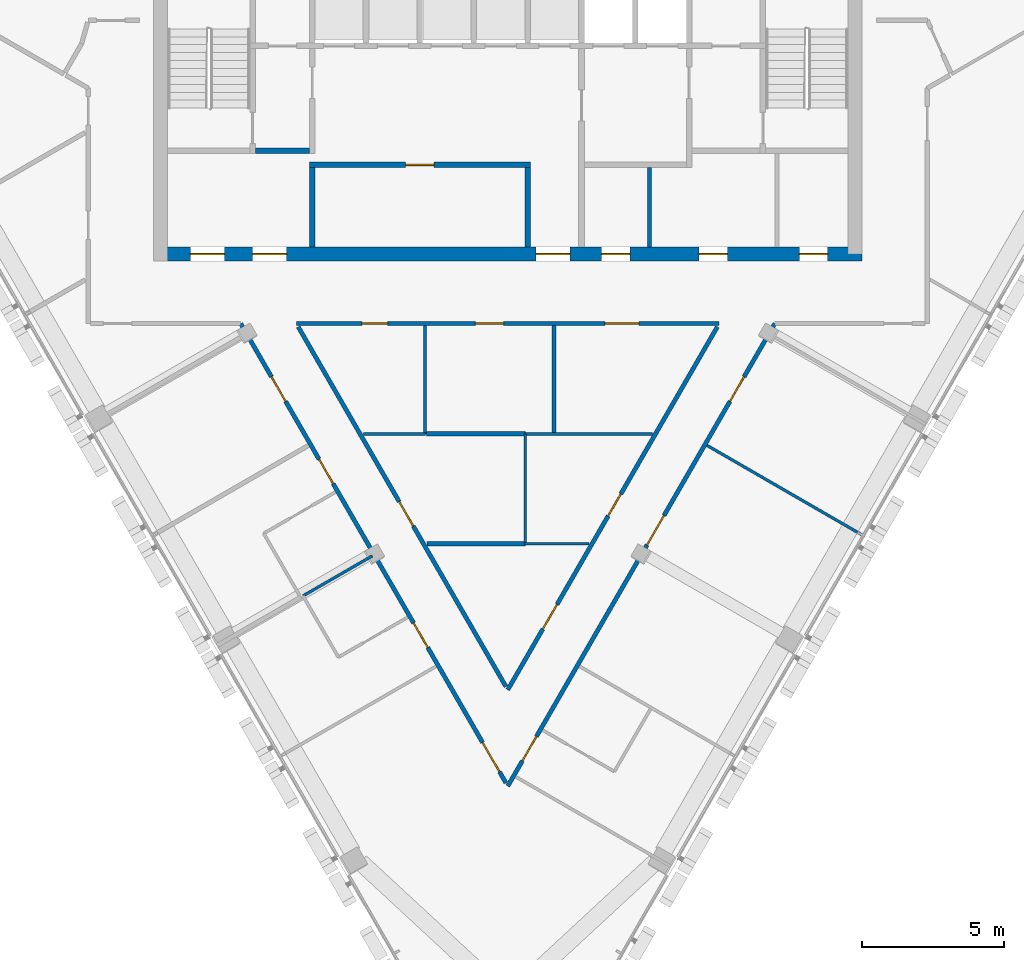
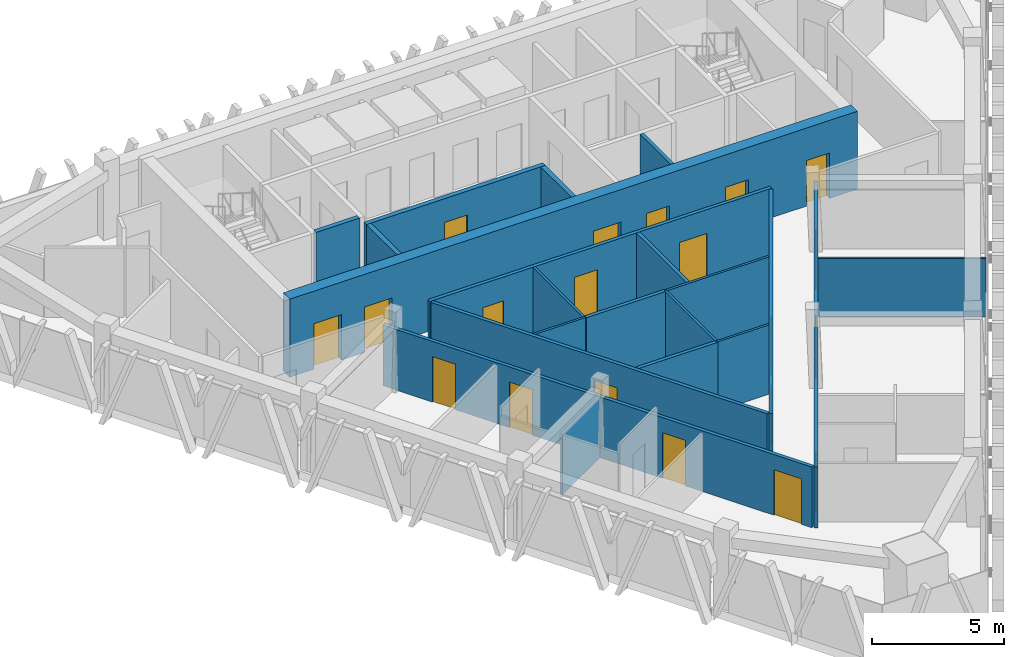
# One storey, part 8 of 12: 21 walls, 20 doors, 20 openings.
"""IFC4 building model written with IfcOpenShell, lengths in metres."""

import ifcopenshell
import ifcopenshell.guid

model = None  # the IFC model being written
_history = None  # IfcOwnerHistory: only IFC2X3 demands one
_inside = {}  # id of a spatial element -> (the spatial element, [elements in it])
_under = {}  # id of a project, library or spatial element -> (it, [spatial elements below it])
_declared = {}  # id of a project -> (the project, [libraries it declares])
_typed = {}  # id of a type object -> (the type object, [elements of that type])
_made_of = {}  # id of a material, layer set ... -> (it, [elements and type objects made of it])


def new_model(schema):
    """Start an empty IFC model of exactly this schema.

    Asked for "IFC4X3", IfcOpenShell would pick the latest addendum, in which some entities
    have other attributes; the version numbers below select the first issue.
    IFC2X3 requires an IfcOwnerHistory on every rooted entity: one is made here for all.
    """
    global model, _history
    if schema == "IFC4X3":
        model = ifcopenshell.file(schema_version=(4, 3, 0, 0))
    else:
        model = ifcopenshell.file(schema=schema)
    _inside.clear()
    _under.clear()
    _declared.clear()
    _typed.clear()
    _made_of.clear()
    _history = None
    if model.schema == "IFC2X3":
        org = make("IfcOrganization", Name="unknown")
        user = make(
            "IfcPersonAndOrganization",
            ThePerson=make("IfcPerson", FamilyName="unknown"),
            TheOrganization=org,
        )
        app = make(
            "IfcApplication",
            ApplicationDeveloper=org,
            Version="unknown",
            ApplicationFullName="unknown",
            ApplicationIdentifier="unknown",
        )
        _history = make(
            "IfcOwnerHistory",
            OwningUser=user,
            OwningApplication=app,
            ChangeAction="ADDED",
            CreationDate=0,
        )
    return model


def make(cls, **values):
    """One entity of the class cls with the attributes given. An attribute that is None is left unset."""
    return model.create_entity(
        cls, **{name: value for name, value in values.items() if value is not None}
    )


def rooted(cls, **values):
    """An entity with a GlobalId (a new one), such as an element, a storey or a relation."""
    return make(cls, GlobalId=ifcopenshell.guid.new(), OwnerHistory=_history, **values)


def si_unit(unit_type, name, prefix=None):
    """IfcSIUnit, for example si_unit("LENGTHUNIT", "METRE", prefix="MILLI")."""
    return make("IfcSIUnit", UnitType=unit_type, Prefix=prefix, Name=name)


def assignment(units):
    """IfcUnitAssignment: the units of a project."""
    return None if units is None else make("IfcUnitAssignment", Units=units)


def point(xyz):
    """IfcCartesianPoint."""
    return None if xyz is None else make("IfcCartesianPoint", Coordinates=xyz)


def direction(xyz):
    """IfcDirection."""
    return None if xyz is None else make("IfcDirection", DirectionRatios=xyz)


def frame(location, z_axis=None, x_axis=None):
    """IfcAxis2Placement3D, a coordinate frame: its origin and axes. An axis left out is left unset."""
    return make(
        "IfcAxis2Placement3D",
        Location=point(location),
        Axis=direction(z_axis),
        RefDirection=direction(x_axis),
    )


def frame_2d(location, x_axis=None):
    """IfcAxis2Placement2D, a coordinate frame in the plane: its origin and x axis."""
    return make(
        "IfcAxis2Placement2D", Location=point(location), RefDirection=direction(x_axis)
    )


def origin():
    """The frame at (0, 0, 0) with its axes left unset."""
    return frame((0.0, 0.0, 0.0))


def place(relative_to, where):
    """IfcLocalPlacement: puts the frame where relative to a parent placement (None: the world)."""
    return make(
        "IfcLocalPlacement", PlacementRelTo=relative_to, RelativePlacement=where
    )


def context(
    kind, dimensions, precision=None, world=None, true_north=None, identifier=None
):
    """IfcGeometricRepresentationContext, for example the 3D "Model" context."""
    return make(
        "IfcGeometricRepresentationContext",
        ContextIdentifier=identifier,
        ContextType=kind,
        CoordinateSpaceDimension=dimensions,
        Precision=precision,
        WorldCoordinateSystem=world,
        TrueNorth=true_north,
    )


def subcontext(parent, identifier, kind, view, scale=None):
    """IfcGeometricRepresentationSubContext, for example "Body" below "Model"."""
    return make(
        "IfcGeometricRepresentationSubContext",
        ContextIdentifier=identifier,
        ContextType=kind,
        ParentContext=parent,
        TargetScale=scale,
        TargetView=view,
    )


def project(units=None, contexts=None):
    """IfcProject with its units and contexts."""
    return rooted(
        "IfcProject",
        Name="project",
        RepresentationContexts=contexts,
        UnitsInContext=assignment(units),
    )


def spatial(cls, under=None, at=None, **own):
    """A site, building, storey or space (cls), placed at a placement, below another one or the project."""
    s = rooted(cls, ObjectPlacement=at, **own)
    if under is not None:
        _under.setdefault(under.id(), (under, []))[1].append(s)
    return s


def profile(cls, at=None, kind="AREA", **sizes):
    """A parametric profile (cls). Its sizes go by their IFC names, for example OverallWidth=200.0."""
    return make(cls, ProfileType=kind, Position=at, **sizes)


def rectangle(**sizes):
    """IfcRectangleProfileDef."""
    return profile("IfcRectangleProfileDef", **sizes)


def extrude(swept, where, along, depth):
    """IfcExtrudedAreaSolid: the profile swept, set in the frame where, extruded along a direction by depth."""
    return make(
        "IfcExtrudedAreaSolid",
        SweptArea=swept,
        Position=where,
        ExtrudedDirection=direction(along),
        Depth=depth,
    )


def shape(context_of_items, identifier, shape_type, items):
    """IfcShapeRepresentation: the items that make up one representation, for example the "Body"."""
    return make(
        "IfcShapeRepresentation",
        ContextOfItems=context_of_items,
        RepresentationIdentifier=identifier,
        RepresentationType=shape_type,
        Items=items,
    )


def material(Name=None, Category=None):
    """IfcMaterial."""
    return make("IfcMaterial", Name=Name, Category=Category)


def layer(
    of_material, thickness, ventilated=None, Name=None, Category=None, Priority=None
):
    """IfcMaterialLayer: one layer of a wall or slab, of a material (None: an air gap)."""
    return make(
        "IfcMaterialLayer",
        Material=of_material,
        LayerThickness=thickness,
        IsVentilated=ventilated,
        Name=Name,
        Category=Category,
        Priority=Priority,
    )


def layer_set(layers, Name=None):
    """IfcMaterialLayerSet."""
    return make("IfcMaterialLayerSet", MaterialLayers=layers, LayerSetName=Name)


def made_of(thing, what):
    """Note that an element or type object is made of a material, layer set ...; save() writes the relation."""
    if what is not None:
        _made_of.setdefault(what.id(), (what, []))[1].append(thing)
    return thing


def type_object(cls, material=None, **own):
    """A type object (cls), such as IfcWallType, which elements share."""
    return made_of(rooted(cls, **own), material)


def element(
    cls,
    number,
    at=None,
    inside=None,
    cuts=None,
    type_object=None,
    material=None,
    context=None,
    identifier="Body",
    shape_type=None,
    held_by="IfcProductDefinitionShape",
    body=None,
    shapes=None,
    **own,
):
    """One element of the class cls, such as IfcWall. Its Tag is "e" and its number.

    at: its placement. inside: the storey or other place that contains it. cuts: it is an
    opening in that element (IfcRelVoidsElement). A single representation is given by context,
    identifier, shape_type and body (its items); several are given by shapes. held_by: the class
    of the entity that holds the representations. save() writes the other relations.
    """
    e = rooted(cls, Tag="e%d" % number, ObjectPlacement=at, **own)
    if body is not None:
        shapes = [shape(context, identifier, shape_type, body)]
    if shapes is not None:
        e.Representation = make(held_by, Representations=shapes)
    if inside is not None:
        _inside.setdefault(inside.id(), (inside, []))[1].append(e)
    if cuts is not None:
        rooted(
            "IfcRelVoidsElement", RelatingBuildingElement=cuts, RelatedOpeningElement=e
        )
    if type_object is not None:
        _typed.setdefault(type_object.id(), (type_object, []))[1].append(e)
    return made_of(e, material)


def fill(opening, filler):
    """IfcRelFillsElement: the door or window that sits in an opening."""
    return rooted(
        "IfcRelFillsElement",
        RelatingOpeningElement=opening,
        RelatedBuildingElement=filler,
    )


def aggregate(whole, parts):
    """IfcRelAggregates: a whole, such as a stair, and the parts it consists of."""
    return rooted("IfcRelAggregates", RelatingObject=whole, RelatedObjects=parts)


def save(model, path):
    """Write the relations noted so far, then the file.

    IfcRelAggregates (storeys below a building ...), IfcRelContainedInSpatialStructure (elements
    in a storey), IfcRelDefinesByType, IfcRelAssociatesMaterial and IfcRelDeclares: one each for
    every whole, place, type object, material and project.
    """
    for whole, parts in _under.values():
        aggregate(whole, parts)
    for where, things in _inside.values():
        rooted(
            "IfcRelContainedInSpatialStructure",
            RelatedElements=things,
            RelatingStructure=where,
        )
    for kind, things in _typed.values():
        rooted("IfcRelDefinesByType", RelatedObjects=things, RelatingType=kind)
    for what, things in _made_of.values():
        rooted("IfcRelAssociatesMaterial", RelatedObjects=things, RelatingMaterial=what)
    for by, libraries in _declared.values():
        rooted("IfcRelDeclares", RelatingContext=by, RelatedDefinitions=libraries)
    model.write(path)


model = new_model("IFC4")

# Units and contexts
model_context = context("Model", 3, precision=1e-05, world=origin(), true_north=direction((0.0, 1.0)))
body_context = subcontext(model_context, "Body", "Model", "MODEL_VIEW")
ifc_project = project(units=[si_unit("LENGTHUNIT", "METRE"), si_unit("AREAUNIT", "SQUARE_METRE"), si_unit("VOLUMEUNIT", "CUBIC_METRE"), si_unit("PLANEANGLEUNIT", "RADIAN"), si_unit("MASSUNIT", "GRAM", prefix="KILO")], contexts=[model_context])

# Site, building, storey
site_placement = place(None, origin())
site = spatial("IfcSite", under=ifc_project, at=site_placement, CompositionType="ELEMENT")
building_placement = place(site_placement, origin())
building = spatial("IfcBuilding", under=site, at=building_placement, Name="Altiplano Prism Tower", CompositionType="ELEMENT")
storey_placement = place(building_placement, frame((0.0, 0.0, 278.800048828125)))
storey = spatial("IfcBuildingStorey", under=building, at=storey_placement, Name="L72", CompositionType="ELEMENT", Elevation=278.800048828125)

# Wall, openings, doors
ifc_material_1 = material(Name="Concrete C60/75", Category="concrete")
ifc_layer_1 = layer(ifc_material_1, 0.5)
ifc_layer_set_1 = layer_set([ifc_layer_1], Name="Concrete C60/75")
wall_type_1 = type_object("IfcWallType", Name="Core wall 500", PredefinedType="SHEAR", material=ifc_layer_set_1)
wall_1_placement = place(storey_placement, frame((72.75, 93.14990234375, 0.0), z_axis=(0.0, 0.0, 1.0), x_axis=(1.0, 0.0, 0.0)))
wall_1 = element("IfcWall", 1, at=wall_1_placement, inside=storey, type_object=wall_type_1, Name="Core wall S L72", PredefinedType="SHEAR", context=body_context, shape_type="SweptSolid", body=[
    extrude(rectangle(XDim=24.75, YDim=0.5, at=frame_2d((12.375, 0.0))), origin(), (0.0, 0.0, 1.0), 3.599853515625),
])
opening_1_placement = place(wall_1_placement, frame((1.050048828125, 0.0, 0.0)))
opening_1 = element("IfcOpeningElement", 2, at=opening_1_placement, cuts=wall_1, Name="Opening D3597", PredefinedType="OPENING", context=body_context, shape_type="SweptSolid", body=[
    extrude(rectangle(XDim=1.199951171875, YDim=2.10009765625, at=frame_2d((0.60009765625, 1.050048828125))), frame((0.0, 0.260498046875, 0.0), z_axis=(0.0, -1.0, 0.0), x_axis=(1.0, 0.0, 0.0)), (0.0, 0.0, 1.0), 0.52099609375),
])
opening_2_placement = place(wall_1_placement, frame((3.25, 0.0, 0.0)))
opening_2 = element("IfcOpeningElement", 3, at=opening_2_placement, cuts=wall_1, Name="Opening D3598", PredefinedType="OPENING", context=body_context, shape_type="SweptSolid", body=[
    extrude(rectangle(XDim=1.199951171875, YDim=2.10009765625, at=frame_2d((0.60009765625, 1.050048828125))), frame((0.0, 0.260498046875, 0.0), z_axis=(0.0, -1.0, 0.0), x_axis=(1.0, 0.0, 0.0)), (0.0, 0.0, 1.0), 0.52099609375),
])
opening_3_placement = place(wall_1_placement, frame((13.25, 0.0, 0.0)))
opening_3 = element("IfcOpeningElement", 4, at=opening_3_placement, cuts=wall_1, Name="Opening D3599", PredefinedType="OPENING", context=body_context, shape_type="SweptSolid", body=[
    extrude(rectangle(XDim=1.199951171875, YDim=2.10009765625, at=frame_2d((0.60009765625, 1.050048828125))), frame((0.0, 0.260498046875, 0.0), z_axis=(0.0, -1.0, 0.0), x_axis=(1.0, 0.0, 0.0)), (0.0, 0.0, 1.0), 0.52099609375),
])
opening_4_placement = place(wall_1_placement, frame((15.5625, 0.0, 0.0)))
opening_4 = element("IfcOpeningElement", 5, at=opening_4_placement, cuts=wall_1, Name="Opening D3602", PredefinedType="OPENING", context=body_context, shape_type="SweptSolid", body=[
    extrude(rectangle(XDim=1.0, YDim=2.10009765625, at=frame_2d((0.5, 1.050048828125))), frame((0.0, 0.260498046875, 0.0), z_axis=(0.0, -1.0, 0.0), x_axis=(1.0, 0.0, 0.0)), (0.0, 0.0, 1.0), 0.52099609375),
])
opening_5_placement = place(wall_1_placement, frame((19.0, 0.0, 0.0)))
opening_5 = element("IfcOpeningElement", 6, at=opening_5_placement, cuts=wall_1, Name="Opening D3603", PredefinedType="OPENING", context=body_context, shape_type="SweptSolid", body=[
    extrude(rectangle(XDim=1.0, YDim=2.10009765625, at=frame_2d((0.5, 1.050048828125))), frame((0.0, 0.260498046875, 0.0), z_axis=(0.0, -1.0, 0.0), x_axis=(1.0, 0.0, 0.0)), (0.0, 0.0, 1.0), 0.52099609375),
])
opening_6_placement = place(wall_1_placement, frame((22.53759765625, 0.0, 0.0)))
opening_6 = element("IfcOpeningElement", 7, at=opening_6_placement, cuts=wall_1, Name="Opening D3604", PredefinedType="OPENING", context=body_context, shape_type="SweptSolid", body=[
    extrude(rectangle(XDim=1.0, YDim=2.10009765625, at=frame_2d((0.5, 1.050048828125))), frame((0.0, 0.260498046875, 0.0), z_axis=(0.0, -1.0, 0.0), x_axis=(1.0, 0.0, 0.0)), (0.0, 0.0, 1.0), 0.52099609375),
])
ifc_material_2 = material(Name="Fire-rated steel door", Category="steel")
door_type_1 = type_object("IfcDoorType", Name="Core room door 1000 x 2100", OperationType="NOTDEFINED", PredefinedType="NOTDEFINED", material=ifc_material_2)
door_1_placement = place(opening_4_placement, origin())
door_1 = element("IfcDoor", 8, at=door_1_placement, inside=storey, type_object=door_type_1, Name="Core room door D3602", OperationType="SINGLE_SWING_RIGHT", OverallHeight=2.10009765625, OverallWidth=1.0, PredefinedType="NOTDEFINED", context=body_context, shape_type="SweptSolid", body=[
    extrude(rectangle(XDim=1.0, YDim=2.10009765625, at=frame_2d((0.5, 1.050048828125))), frame((0.0, 0.02490234375, 0.0), z_axis=(0.0, -1.0, 0.0), x_axis=(1.0, 0.0, 0.0)), (0.0, 0.0, 1.0), 0.050048828125),
])
fill(opening_4, door_1)
door_2_placement = place(opening_5_placement, origin())
door_2 = element("IfcDoor", 9, at=door_2_placement, inside=storey, type_object=door_type_1, Name="Core room door D3603", OperationType="SINGLE_SWING_LEFT", OverallHeight=2.10009765625, OverallWidth=1.0, PredefinedType="NOTDEFINED", context=body_context, shape_type="SweptSolid", body=[
    extrude(rectangle(XDim=1.0, YDim=2.10009765625, at=frame_2d((0.5, 1.050048828125))), frame((0.0, 0.02490234375, 0.0), z_axis=(0.0, -1.0, 0.0), x_axis=(1.0, 0.0, 0.0)), (0.0, 0.0, 1.0), 0.050048828125),
])
fill(opening_5, door_2)
door_3_placement = place(opening_6_placement, origin())
door_3 = element("IfcDoor", 10, at=door_3_placement, inside=storey, type_object=door_type_1, Name="Core room door D3604", OperationType="SINGLE_SWING_RIGHT", OverallHeight=2.10009765625, OverallWidth=1.0, PredefinedType="NOTDEFINED", context=body_context, shape_type="SweptSolid", body=[
    extrude(rectangle(XDim=1.0, YDim=2.10009765625, at=frame_2d((0.5, 1.050048828125))), frame((0.0, 0.02490234375, 0.0), z_axis=(0.0, -1.0, 0.0), x_axis=(1.0, 0.0, 0.0)), (0.0, 0.0, 1.0), 0.050048828125),
])
fill(opening_6, door_3)
door_type_2 = type_object("IfcDoorType", Name="Lobby fire door 1200 x 2100", OperationType="NOTDEFINED", PredefinedType="NOTDEFINED", material=ifc_material_2)
door_4_placement = place(opening_1_placement, origin())
door_4 = element("IfcDoor", 11, at=door_4_placement, inside=storey, type_object=door_type_2, Name="Lobby fire door D3597", OperationType="SINGLE_SWING_RIGHT", OverallHeight=2.10009765625, OverallWidth=1.199951171875, PredefinedType="NOTDEFINED", context=body_context, shape_type="SweptSolid", body=[
    extrude(rectangle(XDim=1.199951171875, YDim=2.10009765625, at=frame_2d((0.60009765625, 1.050048828125))), frame((0.0, 0.02490234375, 0.0), z_axis=(0.0, -1.0, 0.0), x_axis=(1.0, 0.0, 0.0)), (0.0, 0.0, 1.0), 0.050048828125),
])
fill(opening_1, door_4)
door_5_placement = place(opening_2_placement, origin())
door_5 = element("IfcDoor", 12, at=door_5_placement, inside=storey, type_object=door_type_2, Name="Lobby fire door D3598", OperationType="SINGLE_SWING_LEFT", OverallHeight=2.10009765625, OverallWidth=1.199951171875, PredefinedType="NOTDEFINED", context=body_context, shape_type="SweptSolid", body=[
    extrude(rectangle(XDim=1.199951171875, YDim=2.10009765625, at=frame_2d((0.60009765625, 1.050048828125))), frame((0.0, 0.02490234375, 0.0), z_axis=(0.0, -1.0, 0.0), x_axis=(1.0, 0.0, 0.0)), (0.0, 0.0, 1.0), 0.050048828125),
])
fill(opening_2, door_5)
door_6_placement = place(opening_3_placement, origin())
door_6 = element("IfcDoor", 13, at=door_6_placement, inside=storey, type_object=door_type_2, Name="Lobby fire door D3599", OperationType="SINGLE_SWING_RIGHT", OverallHeight=2.10009765625, OverallWidth=1.199951171875, PredefinedType="NOTDEFINED", context=body_context, shape_type="SweptSolid", body=[
    extrude(rectangle(XDim=1.199951171875, YDim=2.10009765625, at=frame_2d((0.60009765625, 1.050048828125))), frame((0.0, 0.02490234375, 0.0), z_axis=(0.0, -1.0, 0.0), x_axis=(1.0, 0.0, 0.0)), (0.0, 0.0, 1.0), 0.050048828125),
])
fill(opening_3, door_6)

# Walls
ifc_material_3 = material(Name="Plasterboard on steel stud", Category="steel")
ifc_layer_2 = layer(ifc_material_3, 0.10009765625)
ifc_layer_set_2 = layer_set([ifc_layer_2], Name="Plasterboard on steel stud")
wall_type_2 = type_object("IfcWallType", Name="Partition 100 wet", PredefinedType="PARTITIONING", material=ifc_layer_set_2)
wall_2_placement = place(storey_placement, frame((82.085205078125, 86.809814453125, 0.0), z_axis=(0.0, 0.0, 1.0), x_axis=(0.0, 1.0, 0.0)))
element("IfcWall", 14, at=wall_2_placement, inside=storey, type_object=wall_type_2, Name="Partition P03 L72 017", PredefinedType="PARTITIONING", context=body_context, shape_type="SweptSolid", body=[
    extrude(rectangle(XDim=3.815185546875, YDim=0.10009765625, at=frame_2d((1.90771484375, 0.0))), origin(), (0.0, 0.0, 1.0), 3.199951171875),
])
wall_3_placement = place(storey_placement, frame((79.90283203125, 86.809814453125, 0.0), z_axis=(0.0, 0.0, 1.0), x_axis=(1.0, 0.0, 0.0)))
element("IfcWall", 15, at=wall_3_placement, inside=storey, type_object=wall_type_2, Name="Partition P03 L72 018", PredefinedType="PARTITIONING", context=body_context, shape_type="SweptSolid", body=[
    extrude(rectangle(XDim=2.202392578125, YDim=0.10009765625, at=frame_2d((1.10107421875, 0.0))), origin(), (0.0, 0.0, 1.0), 3.199951171875),
])
wall_4_placement = place(storey_placement, frame((85.5986328125, 82.932861328125, 0.0), z_axis=(0.0, 0.0, 1.0), x_axis=(1.0, 0.0, 0.0)))
element("IfcWall", 16, at=wall_4_placement, inside=storey, type_object=wall_type_2, Name="Partition P03 L72 019", PredefinedType="PARTITIONING", context=body_context, shape_type="SweptSolid", body=[
    extrude(rectangle(XDim=2.26025390625, YDim=0.10009765625, at=frame_2d((1.130126953125, 0.0))), origin(), (0.0, 0.0, 1.0), 3.199951171875),
])
wall_5_placement = place(storey_placement, frame((90.097412109375, 86.809814453125, 0.0), z_axis=(0.0, 0.0, 1.0), x_axis=(-1.0, 0.0, 0.0)))
element("IfcWall", 17, at=wall_5_placement, inside=storey, type_object=wall_type_2, Name="Partition P03 L72 020", PredefinedType="PARTITIONING", context=body_context, shape_type="SweptSolid", body=[
    extrude(rectangle(XDim=4.498779296875, YDim=0.10009765625, at=frame_2d((2.24951171875, 0.0))), origin(), (0.0, 0.0, 1.0), 3.199951171875),
])
wall_6_placement = place(storey_placement, frame((85.618408203125, 86.809814453125, 0.0), z_axis=(0.0, 0.0, 1.0), x_axis=(0.0, -1.0, 0.0)))
element("IfcWall", 18, at=wall_6_placement, inside=storey, type_object=wall_type_2, Name="Partition P03 L72 021", PredefinedType="PARTITIONING", context=body_context, shape_type="SweptSolid", body=[
    extrude(rectangle(XDim=3.876953125, YDim=0.10009765625, at=frame_2d((1.9384765625, 0.0))), origin(), (0.0, 0.0, 1.0), 3.199951171875),
])
wall_7_placement = place(storey_placement, frame((77.77587890625, 81.093505859375, 0.0), z_axis=(0.0, 0.0, 1.0), x_axis=(0.866048868473, 0.499959355765, 0.0)))
element("IfcWall", 19, at=wall_7_placement, inside=storey, type_object=wall_type_2, Name="Partition P03 L72 034", PredefinedType="PARTITIONING", context=body_context, shape_type="SweptSolid", body=[
    extrude(rectangle(XDim=2.824951171875, YDim=0.10009765625, at=frame_2d((1.41259765625, 0.0))), origin(), (0.0, 0.0, 1.0), 2.800048828125),
])
wall_8_placement = place(storey_placement, frame((97.522705078125, 83.23046875, 0.0), z_axis=(0.0, 0.0, 1.0), x_axis=(-0.866025401434, 0.500000004071, 0.0)))
element("IfcWall", 20, at=wall_8_placement, inside=storey, type_object=wall_type_2, Name="Partition P03 L72 042", PredefinedType="PARTITIONING", context=body_context, shape_type="SweptSolid", body=[
    extrude(rectangle(XDim=6.34521484375, YDim=0.10009765625, at=frame_2d((3.172607421875, 0.0))), origin(), (0.0, 0.0, 1.0), 2.699951171875),
])

# Wall, openings, doors
ifc_layer_3 = layer(ifc_material_3, 0.14990234375)
ifc_layer_set_3 = layer_set([ifc_layer_3], Name="Plasterboard on steel stud")
wall_type_3 = type_object("IfcWallType", Name="Partition 150 corridor", PredefinedType="PARTITIONING", material=ifc_layer_set_3)
wall_9_placement = place(storey_placement, frame((77.541259765625, 90.699951171875, 0.0), z_axis=(0.0, 0.0, 1.0), x_axis=(1.0, 0.0, 0.0)))
wall_9 = element("IfcWall", 21, at=wall_9_placement, inside=storey, type_object=wall_type_3, Name="Partition P06 L72 001", PredefinedType="PARTITIONING", context=body_context, shape_type="SweptSolid", body=[
    extrude(rectangle(XDim=14.91748046875, YDim=0.14990234375, at=frame_2d((7.458740234375, 0.0))), origin(), (0.0, 0.0, 1.0), 3.199951171875),
])
opening_7_placement = place(wall_9_placement, frame((2.322021484375, 0.0, 0.0)))
opening_7 = element("IfcOpeningElement", 22, at=opening_7_placement, cuts=wall_9, Name="Opening D2247", PredefinedType="OPENING", context=body_context, shape_type="SweptSolid", body=[
    extrude(rectangle(XDim=0.89990234375, YDim=2.10009765625, at=frame_2d((0.449951171875, 1.050048828125))), frame((0.0, 0.08544921875, 0.0), z_axis=(0.0, -1.0, 0.0), x_axis=(1.0, 0.0, 0.0)), (0.0, 0.0, 1.0), 0.1708984375),
])
opening_8_placement = place(wall_9_placement, frame((6.31494140625, 0.0, 0.0)))
opening_8 = element("IfcOpeningElement", 23, at=opening_8_placement, cuts=wall_9, Name="Opening D2250", PredefinedType="OPENING", context=body_context, shape_type="SweptSolid", body=[
    extrude(rectangle(XDim=1.0, YDim=2.10009765625, at=frame_2d((0.5, 1.050048828125))), frame((0.0, 0.08544921875, 0.0), z_axis=(0.0, -1.0, 0.0), x_axis=(1.0, 0.0, 0.0)), (0.0, 0.0, 1.0), 0.1708984375),
])
opening_9_placement = place(wall_9_placement, frame((10.885009765625, 0.0, 0.0)))
opening_9 = element("IfcOpeningElement", 24, at=opening_9_placement, cuts=wall_9, Name="Opening D2268", PredefinedType="OPENING", context=body_context, shape_type="SweptSolid", body=[
    extrude(rectangle(XDim=1.199951171875, YDim=2.10009765625, at=frame_2d((0.60009765625, 1.050048828125))), frame((0.0, 0.08544921875, 0.0), z_axis=(0.0, -1.0, 0.0), x_axis=(1.0, 0.0, 0.0)), (0.0, 0.0, 1.0), 0.1708984375),
])
ifc_material_4 = material(Name="Timber", Category="wood")
door_type_3 = type_object("IfcDoorType", Name="Room door 1000 x 2100", OperationType="NOTDEFINED", PredefinedType="NOTDEFINED", material=ifc_material_4)
door_7_placement = place(opening_8_placement, origin())
door_7 = element("IfcDoor", 25, at=door_7_placement, inside=storey, type_object=door_type_3, Name="Door D2250", OperationType="SINGLE_SWING_RIGHT", OverallHeight=2.10009765625, OverallWidth=1.0, PredefinedType="NOTDEFINED", context=body_context, shape_type="SweptSolid", body=[
    extrude(rectangle(XDim=1.0, YDim=2.10009765625, at=frame_2d((0.5, 1.050048828125))), frame((0.0, 0.02490234375, 0.0), z_axis=(0.0, -1.0, 0.0), x_axis=(1.0, 0.0, 0.0)), (0.0, 0.0, 1.0), 0.050048828125),
])
fill(opening_8, door_7)
door_type_4 = type_object("IfcDoorType", Name="Shared room door 1200 x 2100", OperationType="NOTDEFINED", PredefinedType="NOTDEFINED", material=ifc_material_4)
door_8_placement = place(opening_9_placement, origin())
door_8 = element("IfcDoor", 26, at=door_8_placement, inside=storey, type_object=door_type_4, Name="Door D2268", OperationType="SINGLE_SWING_LEFT", OverallHeight=2.10009765625, OverallWidth=1.199951171875, PredefinedType="NOTDEFINED", context=body_context, shape_type="SweptSolid", body=[
    extrude(rectangle(XDim=1.199951171875, YDim=2.10009765625, at=frame_2d((0.60009765625, 1.050048828125))), frame((0.0, 0.02490234375, 0.0), z_axis=(0.0, -1.0, 0.0), x_axis=(1.0, 0.0, 0.0)), (0.0, 0.0, 1.0), 0.050048828125),
])
fill(opening_9, door_8)
door_type_5 = type_object("IfcDoorType", Name="Toilet door 900 x 2100", OperationType="NOTDEFINED", PredefinedType="NOTDEFINED", material=ifc_material_4)
door_9_placement = place(opening_7_placement, origin())
door_9 = element("IfcDoor", 27, at=door_9_placement, inside=storey, type_object=door_type_5, Name="Door D2247", OperationType="SINGLE_SWING_LEFT", OverallHeight=2.10009765625, OverallWidth=0.89990234375, PredefinedType="NOTDEFINED", context=body_context, shape_type="SweptSolid", body=[
    extrude(rectangle(XDim=0.89990234375, YDim=2.10009765625, at=frame_2d((0.449951171875, 1.050048828125))), frame((0.0, 0.02490234375, 0.0), z_axis=(0.0, -1.0, 0.0), x_axis=(1.0, 0.0, 0.0)), (0.0, 0.0, 1.0), 0.050048828125),
])
fill(opening_7, door_9)

wall_10_placement = place(storey_placement, frame((92.393798828125, 90.58740234375, 0.0), z_axis=(0.0, 0.0, 1.0), x_axis=(-0.500001134594, -0.866024748725, 0.0)))
wall_10 = element("IfcWall", 28, at=wall_10_placement, inside=storey, type_object=wall_type_3, Name="Partition P06 L72 002", PredefinedType="PARTITIONING", context=body_context, shape_type="SweptSolid", body=[
    extrude(rectangle(XDim=14.78759765625, YDim=0.14990234375, at=frame_2d((7.393798828125, 0.0))), origin(), (0.0, 0.0, 1.0), 3.199951171875),
])
opening_10_placement = place(wall_10_placement, frame((6.80908203125, 0.0, 0.0)))
opening_10 = element("IfcOpeningElement", 29, at=opening_10_placement, cuts=wall_10, Name="Opening D2248", PredefinedType="OPENING", context=body_context, shape_type="SweptSolid", body=[
    extrude(rectangle(XDim=0.89990234375, YDim=2.10009765625, at=frame_2d((0.449951171875, 1.050048828125))), frame((0.0, 0.08544921875, 0.0), z_axis=(0.0, -1.0, 0.0), x_axis=(1.0, 0.0, 0.0)), (0.0, 0.0, 1.0), 0.1708984375),
])
opening_11_placement = place(wall_10_placement, frame((11.31298828125, 0.0, 0.0)))
opening_11 = element("IfcOpeningElement", 30, at=opening_11_placement, cuts=wall_10, Name="Opening D2249", PredefinedType="OPENING", context=body_context, shape_type="SweptSolid", body=[
    extrude(rectangle(XDim=1.0, YDim=2.10009765625, at=frame_2d((0.5, 1.050048828125))), frame((0.0, 0.08544921875, 0.0), z_axis=(0.0, -1.0, 0.0), x_axis=(1.0, 0.0, 0.0)), (0.0, 0.0, 1.0), 0.1708984375),
])
door_type_6 = type_object("IfcDoorType", Name="Store door 1000 x 2100", OperationType="NOTDEFINED", PredefinedType="NOTDEFINED", material=ifc_material_4)
door_10_placement = place(opening_11_placement, origin())
door_10 = element("IfcDoor", 31, at=door_10_placement, inside=storey, type_object=door_type_6, Name="Door D2249", OperationType="SINGLE_SWING_RIGHT", OverallHeight=2.10009765625, OverallWidth=1.0, PredefinedType="NOTDEFINED", context=body_context, shape_type="SweptSolid", body=[
    extrude(rectangle(XDim=1.0, YDim=2.10009765625, at=frame_2d((0.5, 1.050048828125))), frame((0.0, 0.02490234375, 0.0), z_axis=(0.0, -1.0, 0.0), x_axis=(1.0, 0.0, 0.0)), (0.0, 0.0, 1.0), 0.050048828125),
])
fill(opening_11, door_10)
door_11_placement = place(opening_10_placement, origin())
door_11 = element("IfcDoor", 32, at=door_11_placement, inside=storey, type_object=door_type_5, Name="Door D2248", OperationType="SINGLE_SWING_RIGHT", OverallHeight=2.10009765625, OverallWidth=0.89990234375, PredefinedType="NOTDEFINED", context=body_context, shape_type="SweptSolid", body=[
    extrude(rectangle(XDim=0.89990234375, YDim=2.10009765625, at=frame_2d((0.449951171875, 1.050048828125))), frame((0.0, 0.02490234375, 0.0), z_axis=(0.0, -1.0, 0.0), x_axis=(1.0, 0.0, 0.0)), (0.0, 0.0, 1.0), 0.050048828125),
])
fill(opening_10, door_11)

# Wall, opening, door
wall_11_placement = place(storey_placement, frame((84.93505859375, 77.8935546875, 0.0), z_axis=(0.0, 0.0, 1.0), x_axis=(-0.500003124334, 0.866023599942, 0.0)))
wall_11 = element("IfcWall", 33, at=wall_11_placement, inside=storey, type_object=wall_type_3, Name="Partition P06 L72 003", PredefinedType="PARTITIONING", context=body_context, shape_type="SweptSolid", body=[
    extrude(rectangle(XDim=14.65771484375, YDim=0.14990234375, at=frame_2d((7.328857421875, 0.0))), origin(), (0.0, 0.0, 1.0), 3.199951171875),
])
opening_12_placement = place(wall_11_placement, frame((6.533935546875, 0.0, 0.0)))
opening_12 = element("IfcOpeningElement", 34, at=opening_12_placement, cuts=wall_11, Name="Opening D2269", PredefinedType="OPENING", context=body_context, shape_type="SweptSolid", body=[
    extrude(rectangle(XDim=1.0, YDim=2.10009765625, at=frame_2d((0.5, 1.050048828125))), frame((0.0, 0.08544921875, 0.0), z_axis=(0.0, -1.0, 0.0), x_axis=(1.0, 0.0, 0.0)), (0.0, 0.0, 1.0), 0.1708984375),
])
door_12_placement = place(opening_12_placement, origin())
door_12 = element("IfcDoor", 35, at=door_12_placement, inside=storey, type_object=door_type_3, Name="Door D2269", OperationType="SINGLE_SWING_LEFT", OverallHeight=2.10009765625, OverallWidth=1.0, PredefinedType="NOTDEFINED", context=body_context, shape_type="SweptSolid", body=[
    extrude(rectangle(XDim=1.0, YDim=2.10009765625, at=frame_2d((0.5, 1.050048828125))), frame((0.0, 0.02490234375, 0.0), z_axis=(0.0, -1.0, 0.0), x_axis=(1.0, 0.0, 0.0)), (0.0, 0.0, 1.0), 0.050048828125),
])
fill(opening_12, door_12)

# Wall, openings, doors
wall_12_placement = place(storey_placement, frame((75.578369140625, 90.699951171875, 0.0), z_axis=(0.0, 0.0, 1.0), x_axis=(0.499999136801, -0.866025902152, 0.0)))
wall_12 = element("IfcWall", 36, at=wall_12_placement, inside=storey, type_object=wall_type_3, Name="Partition P06 L72 007", PredefinedType="PARTITIONING", context=body_context, shape_type="SweptSolid", body=[
    extrude(rectangle(XDim=18.71337890625, YDim=0.14990234375, at=frame_2d((9.356689453125, 0.0))), origin(), (0.0, 0.0, 1.0), 2.800048828125),
])
opening_13_placement = place(wall_12_placement, frame((2.16796875, 0.0, 0.0)))
opening_13 = element("IfcOpeningElement", 37, at=opening_13_placement, cuts=wall_12, Name="Opening D2254", PredefinedType="OPENING", context=body_context, shape_type="SweptSolid", body=[
    extrude(rectangle(XDim=1.0, YDim=2.10009765625, at=frame_2d((0.5, 1.050048828125))), frame((0.0, 0.08544921875, 0.0), z_axis=(0.0, -1.0, 0.0), x_axis=(1.0, 0.0, 0.0)), (0.0, 0.0, 1.0), 0.1708984375),
])
opening_14_placement = place(wall_12_placement, frame((5.52294921875, 0.0, 0.0)))
opening_14 = element("IfcOpeningElement", 38, at=opening_14_placement, cuts=wall_12, Name="Opening D2255", PredefinedType="OPENING", context=body_context, shape_type="SweptSolid", body=[
    extrude(rectangle(XDim=1.0, YDim=2.10009765625, at=frame_2d((0.5, 1.050048828125))), frame((0.0, 0.08544921875, 0.0), z_axis=(0.0, -1.0, 0.0), x_axis=(1.0, 0.0, 0.0)), (0.0, 0.0, 1.0), 0.1708984375),
])
opening_15_placement = place(wall_12_placement, frame((12.197998046875, 0.0, 0.0)))
opening_15 = element("IfcOpeningElement", 39, at=opening_15_placement, cuts=wall_12, Name="Opening D2257", PredefinedType="OPENING", context=body_context, shape_type="SweptSolid", body=[
    extrude(rectangle(XDim=1.0, YDim=2.10009765625, at=frame_2d((0.5, 1.050048828125))), frame((0.0, 0.08544921875, 0.0), z_axis=(0.0, -1.0, 0.0), x_axis=(1.0, 0.0, 0.0)), (0.0, 0.0, 1.0), 0.1708984375),
])
opening_16_placement = place(wall_12_placement, frame((17.06103515625, 0.0, 0.0)))
opening_16 = element("IfcOpeningElement", 40, at=opening_16_placement, cuts=wall_12, Name="Opening D2259", PredefinedType="OPENING", context=body_context, shape_type="SweptSolid", body=[
    extrude(rectangle(XDim=1.199951171875, YDim=2.10009765625, at=frame_2d((0.60009765625, 1.050048828125))), frame((0.0, 0.08544921875, 0.0), z_axis=(0.0, -1.0, 0.0), x_axis=(1.0, 0.0, 0.0)), (0.0, 0.0, 1.0), 0.1708984375),
])
door_type_7 = type_object("IfcDoorType", Name="Bedroom entrance door 1000 x 2100", OperationType="NOTDEFINED", PredefinedType="NOTDEFINED", material=ifc_material_4)
door_13_placement = place(opening_14_placement, origin())
door_13 = element("IfcDoor", 41, at=door_13_placement, inside=storey, type_object=door_type_7, Name="Door D2255", OperationType="SINGLE_SWING_RIGHT", OverallHeight=2.10009765625, OverallWidth=1.0, PredefinedType="NOTDEFINED", context=body_context, shape_type="SweptSolid", body=[
    extrude(rectangle(XDim=1.0, YDim=2.10009765625, at=frame_2d((0.5, 1.050048828125))), frame((0.0, 0.02490234375, 0.0), z_axis=(0.0, -1.0, 0.0), x_axis=(1.0, 0.0, 0.0)), (0.0, 0.0, 1.0), 0.050048828125),
])
fill(opening_14, door_13)
door_14_placement = place(opening_15_placement, origin())
door_14 = element("IfcDoor", 42, at=door_14_placement, inside=storey, type_object=door_type_7, Name="Door D2257", OperationType="SINGLE_SWING_RIGHT", OverallHeight=2.10009765625, OverallWidth=1.0, PredefinedType="NOTDEFINED", context=body_context, shape_type="SweptSolid", body=[
    extrude(rectangle(XDim=1.0, YDim=2.10009765625, at=frame_2d((0.5, 1.050048828125))), frame((0.0, 0.02490234375, 0.0), z_axis=(0.0, -1.0, 0.0), x_axis=(1.0, 0.0, 0.0)), (0.0, 0.0, 1.0), 0.050048828125),
])
fill(opening_15, door_14)
door_15_placement = place(opening_13_placement, origin())
door_15 = element("IfcDoor", 43, at=door_15_placement, inside=storey, type_object=door_type_3, Name="Door D2254", OperationType="SINGLE_SWING_LEFT", OverallHeight=2.10009765625, OverallWidth=1.0, PredefinedType="NOTDEFINED", context=body_context, shape_type="SweptSolid", body=[
    extrude(rectangle(XDim=1.0, YDim=2.10009765625, at=frame_2d((0.5, 1.050048828125))), frame((0.0, 0.02490234375, 0.0), z_axis=(0.0, -1.0, 0.0), x_axis=(1.0, 0.0, 0.0)), (0.0, 0.0, 1.0), 0.050048828125),
])
fill(opening_13, door_15)
door_16_placement = place(opening_16_placement, origin())
door_16 = element("IfcDoor", 44, at=door_16_placement, inside=storey, type_object=door_type_4, Name="Door D2259", OperationType="SINGLE_SWING_RIGHT", OverallHeight=2.10009765625, OverallWidth=1.199951171875, PredefinedType="NOTDEFINED", context=body_context, shape_type="SweptSolid", body=[
    extrude(rectangle(XDim=1.199951171875, YDim=2.10009765625, at=frame_2d((0.60009765625, 1.050048828125))), frame((0.0, 0.02490234375, 0.0), z_axis=(0.0, -1.0, 0.0), x_axis=(1.0, 0.0, 0.0)), (0.0, 0.0, 1.0), 0.050048828125),
])
fill(opening_16, door_16)

wall_13_placement = place(storey_placement, frame((85.0, 74.381103515625, 0.0), z_axis=(0.0, 0.0, 1.0), x_axis=(0.49999760282, 0.866026787792, 0.0)))
wall_13 = element("IfcWall", 45, at=wall_13_placement, inside=storey, type_object=wall_type_3, Name="Partition P06 L72 008", PredefinedType="PARTITIONING", context=body_context, shape_type="SweptSolid", body=[
    extrude(rectangle(XDim=18.84326171875, YDim=0.14990234375, at=frame_2d((9.421630859375, 0.0))), origin(), (0.0, 0.0, 1.0), 2.800048828125),
])
opening_17_placement = place(wall_13_placement, frame((1.030029296875, 0.0, 0.0)))
opening_17 = element("IfcOpeningElement", 46, at=opening_17_placement, cuts=wall_13, Name="Opening D2260", PredefinedType="OPENING", context=body_context, shape_type="SweptSolid", body=[
    extrude(rectangle(XDim=1.0, YDim=2.10009765625, at=frame_2d((0.5, 1.050048828125))), frame((0.0, 0.08544921875, 0.0), z_axis=(0.0, -1.0, 0.0), x_axis=(1.0, 0.0, 0.0)), (0.0, 0.0, 1.0), 0.1708984375),
])
opening_18_placement = place(wall_13_placement, frame((9.824951171875, 0.0, 0.0)))
opening_18 = element("IfcOpeningElement", 47, at=opening_18_placement, cuts=wall_13, Name="Opening D2262", PredefinedType="OPENING", context=body_context, shape_type="SweptSolid", body=[
    extrude(rectangle(XDim=1.199951171875, YDim=2.10009765625, at=frame_2d((0.60009765625, 1.050048828125))), frame((0.0, 0.08544921875, 0.0), z_axis=(0.0, -1.0, 0.0), x_axis=(1.0, 0.0, 0.0)), (0.0, 0.0, 1.0), 0.1708984375),
])
opening_19_placement = place(wall_13_placement, frame((15.675048828125, 0.0, 0.0)))
opening_19 = element("IfcOpeningElement", 48, at=opening_19_placement, cuts=wall_13, Name="Opening D2263", PredefinedType="OPENING", context=body_context, shape_type="SweptSolid", body=[
    extrude(rectangle(XDim=1.0, YDim=2.10009765625, at=frame_2d((0.5, 1.050048828125))), frame((0.0, 0.08544921875, 0.0), z_axis=(0.0, -1.0, 0.0), x_axis=(1.0, 0.0, 0.0)), (0.0, 0.0, 1.0), 0.1708984375),
])
door_17_placement = place(opening_17_placement, origin())
door_17 = element("IfcDoor", 49, at=door_17_placement, inside=storey, type_object=door_type_7, Name="Door D2260", OperationType="SINGLE_SWING_LEFT", OverallHeight=2.10009765625, OverallWidth=1.0, PredefinedType="NOTDEFINED", context=body_context, shape_type="SweptSolid", body=[
    extrude(rectangle(XDim=1.0, YDim=2.10009765625, at=frame_2d((0.5, 1.050048828125))), frame((0.0, 0.02490234375, 0.0), z_axis=(0.0, -1.0, 0.0), x_axis=(1.0, 0.0, 0.0)), (0.0, 0.0, 1.0), 0.050048828125),
])
fill(opening_17, door_17)
door_18_placement = place(opening_19_placement, origin())
door_18 = element("IfcDoor", 50, at=door_18_placement, inside=storey, type_object=door_type_3, Name="Door D2263", OperationType="SINGLE_SWING_LEFT", OverallHeight=2.10009765625, OverallWidth=1.0, PredefinedType="NOTDEFINED", context=body_context, shape_type="SweptSolid", body=[
    extrude(rectangle(XDim=1.0, YDim=2.10009765625, at=frame_2d((0.5, 1.050048828125))), frame((0.0, 0.02490234375, 0.0), z_axis=(0.0, -1.0, 0.0), x_axis=(1.0, 0.0, 0.0)), (0.0, 0.0, 1.0), 0.050048828125),
])
fill(opening_19, door_18)
door_19_placement = place(opening_18_placement, origin())
door_19 = element("IfcDoor", 51, at=door_19_placement, inside=storey, type_object=door_type_4, Name="Door D2262", OperationType="SINGLE_SWING_LEFT", OverallHeight=2.10009765625, OverallWidth=1.199951171875, PredefinedType="NOTDEFINED", context=body_context, shape_type="SweptSolid", body=[
    extrude(rectangle(XDim=1.199951171875, YDim=2.10009765625, at=frame_2d((0.60009765625, 1.050048828125))), frame((0.0, 0.02490234375, 0.0), z_axis=(0.0, -1.0, 0.0), x_axis=(1.0, 0.0, 0.0)), (0.0, 0.0, 1.0), 0.050048828125),
])
fill(opening_18, door_19)

# Walls
ifc_layer_4 = layer(ifc_material_3, 0.14990234375)
ifc_layer_set_4 = layer_set([ifc_layer_4], Name="Plasterboard on steel stud")
wall_type_4 = type_object("IfcWallType", Name="Partition 150 party", PredefinedType="PARTITIONING", material=ifc_layer_set_4)
wall_14_placement = place(storey_placement, frame((85.618408203125, 82.932861328125, 0.0), z_axis=(0.0, 0.0, 1.0), x_axis=(-1.0, 0.0, 0.0)))
element("IfcWall", 52, at=wall_14_placement, inside=storey, type_object=wall_type_4, Name="Partition P01 L72 022", PredefinedType="PARTITIONING", context=body_context, shape_type="SweptSolid", body=[
    extrude(rectangle(XDim=3.462890625, YDim=0.14990234375, at=frame_2d((1.7314453125, 0.0))), origin(), (0.0, 0.0, 1.0), 3.199951171875),
])
wall_15_placement = place(storey_placement, frame((86.627197265625, 86.85986328125, 0.0), z_axis=(0.0, 0.0, 1.0), x_axis=(0.0, 1.0, 0.0)))
element("IfcWall", 53, at=wall_15_placement, inside=storey, type_object=wall_type_4, Name="Partition P01 L72 023", PredefinedType="PARTITIONING", context=body_context, shape_type="SweptSolid", body=[
    extrude(rectangle(XDim=3.76513671875, YDim=0.14990234375, at=frame_2d((1.882568359375, 0.0))), origin(), (0.0, 0.0, 1.0), 3.199951171875),
])
wall_16_placement = place(storey_placement, frame((82.135009765625, 86.809814453125, 0.0), z_axis=(0.0, 0.0, 1.0), x_axis=(1.0, 0.0, 0.0)))
element("IfcWall", 54, at=wall_16_placement, inside=storey, type_object=wall_type_4, Name="Partition P01 L72 024", PredefinedType="PARTITIONING", context=body_context, shape_type="SweptSolid", body=[
    extrude(rectangle(XDim=3.4833984375, YDim=0.14990234375, at=frame_2d((1.74169921875, 0.0))), origin(), (0.0, 0.0, 1.0), 3.199951171875),
])
ifc_material_5 = material(Name="Fire-rated gypsum board partition")
ifc_layer_5 = layer(ifc_material_5, 0.14990234375)
ifc_layer_set_5 = layer_set([ifc_layer_5], Name="Fire-rated gypsum board partition")
wall_type_5 = type_object("IfcWallType", Name="Room partition 150", PredefinedType="PARTITIONING", material=ifc_layer_set_5)
wall_17_placement = place(storey_placement, frame((90.0, 93.39990234375, 0.0), z_axis=(0.0, 0.0, 1.0), x_axis=(0.0, 1.0, 0.0)))
element("IfcWall", 55, at=wall_17_placement, inside=storey, type_object=wall_type_5, Name="Room partition L72", PredefinedType="PARTITIONING", context=body_context, shape_type="SweptSolid", body=[
    extrude(rectangle(XDim=2.800048828125, YDim=0.14990234375, at=frame_2d((1.39990234375, 0.0))), origin(), (0.0, 0.0, 1.0), 3.199951171875),
])
ifc_layer_6 = layer(ifc_material_1, 0.199951171875)
ifc_layer_set_6 = layer_set([ifc_layer_6], Name="Concrete C60/75")
wall_type_6 = type_object("IfcWallType", Name="Vestibule wall 200", PredefinedType="PARTITIONING", material=ifc_layer_set_6)
for number, where, z_axis, x_axis, name in (
    (56, (78.10009765625, 93.39990234375, 0.0), (0.0, 0.0, 1.0), (0.0, 1.0, 0.0), "Vestibule wall L72"),
    (57, (85.699951171875, 93.39990234375, 0.0), (0.0, 0.0, 1.0), (0.0, 1.0, 0.0), "Vestibule wall L72"),
):
    element("IfcWall", number, at=place(storey_placement, frame(where, z_axis=z_axis, x_axis=x_axis)), inside=storey, type_object=wall_type_6, Name=name, PredefinedType="PARTITIONING", context=body_context, shape_type="SweptSolid", body=[
        extrude(rectangle(XDim=2.800048828125, YDim=0.199951171875, at=frame_2d((1.39990234375, 0.0))), origin(), (0.0, 0.0, 1.0), 3.199951171875),
    ])

# Wall, opening, door
wall_18_placement = place(storey_placement, frame((78.0, 96.300048828125, 0.0), z_axis=(0.0, 0.0, 1.0), x_axis=(1.0, 0.0, 0.0)))
wall_18 = element("IfcWall", 58, at=wall_18_placement, inside=storey, type_object=wall_type_6, Name="Vestibule wall L72", PredefinedType="PARTITIONING", context=body_context, shape_type="SweptSolid", body=[
    extrude(rectangle(XDim=7.800048828125, YDim=0.199951171875, at=frame_2d((3.89990234375, 0.0))), origin(), (0.0, 0.0, 1.0), 3.199951171875),
])
opening_20_placement = place(wall_18_placement, frame((3.39990234375, 0.0, 0.0)))
opening_20 = element("IfcOpeningElement", 59, at=opening_20_placement, cuts=wall_18, Name="Opening D3605", PredefinedType="OPENING", context=body_context, shape_type="SweptSolid", body=[
    extrude(rectangle(XDim=1.0, YDim=2.10009765625, at=frame_2d((0.5, 1.050048828125))), frame((0.0, 0.1103515625, 0.0), z_axis=(0.0, -1.0, 0.0), x_axis=(1.0, 0.0, 0.0)), (0.0, 0.0, 1.0), 0.220947265625),
])
door_20_placement = place(opening_20_placement, origin())
door_20 = element("IfcDoor", 60, at=door_20_placement, inside=storey, type_object=door_type_1, Name="Core room door D3605", OperationType="SINGLE_SWING_RIGHT", OverallHeight=2.10009765625, OverallWidth=1.0, PredefinedType="NOTDEFINED", context=body_context, shape_type="SweptSolid", body=[
    extrude(rectangle(XDim=1.0, YDim=2.10009765625, at=frame_2d((0.5, 1.050048828125))), frame((0.0, 0.02490234375, 0.0), z_axis=(0.0, -1.0, 0.0), x_axis=(1.0, 0.0, 0.0)), (0.0, 0.0, 1.0), 0.050048828125),
])
fill(opening_20, door_20)

# Wall
wall_19_placement = place(storey_placement, frame((76.10009765625, 96.800048828125, 0.0), z_axis=(0.0, 0.0, 1.0), x_axis=(1.0, 0.0, 0.0)))
element("IfcWall", 61, at=wall_19_placement, inside=storey, type_object=wall_type_6, Name="Vestibule wall L72", PredefinedType="PARTITIONING", context=body_context, shape_type="SweptSolid", body=[
    extrude(rectangle(XDim=1.89990234375, YDim=0.199951171875, at=frame_2d((0.949951171875, 0.0))), origin(), (0.0, 0.0, 1.0), 3.199951171875),
])

save(model, "model.ifc")
